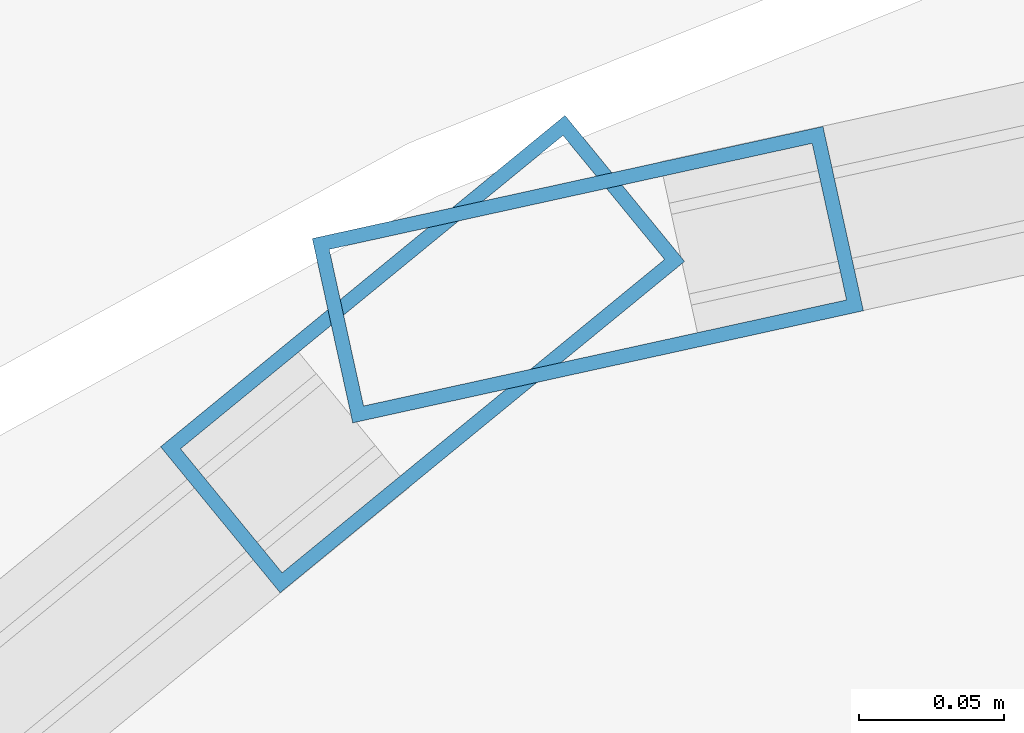
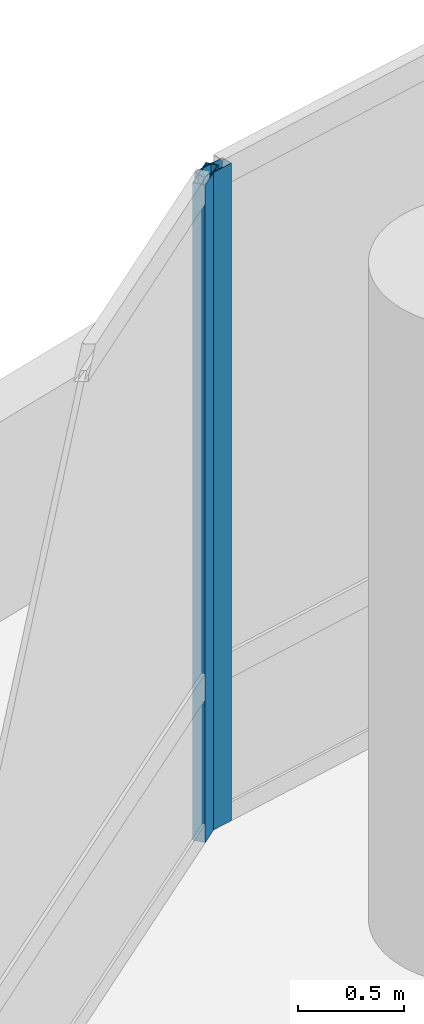
# One storey, part 20 of 37: 2 members, 2 elements without a shape of their own.
"""IFC4 building model written with IfcOpenShell, lengths in metres."""

from ifc_helpers import new_model, si_unit, direction, frame, origin, origin_2d, place, context, subcontext, project, spatial, hollow_rectangle, extrude, material, layer, layer_set, material_profile, profile_set, type_object, element, aggregate, save


model = new_model("IFC4")

# Units and contexts
model_context = context("Model", 3, precision=1e-05, world=origin(), true_north=direction((0.0, 1.0)))
body_context = subcontext(model_context, "Body", "Model", "MODEL_VIEW")
ifc_project = project(units=[si_unit("LENGTHUNIT", "METRE"), si_unit("AREAUNIT", "SQUARE_METRE"), si_unit("VOLUMEUNIT", "CUBIC_METRE"), si_unit("PLANEANGLEUNIT", "RADIAN"), si_unit("MASSUNIT", "GRAM", prefix="KILO")], contexts=[model_context])

# Site, building, storey
site_placement = place(None, origin())
site = spatial("IfcSite", under=ifc_project, at=site_placement, CompositionType="ELEMENT")
building_placement = place(site_placement, origin())
building = spatial("IfcBuilding", under=site, at=building_placement, Name="Nuhasar Tower", CompositionType="ELEMENT")
storey_placement = place(building_placement, frame((0.0, 0.0, 21.0)))
storey = spatial("IfcBuildingStorey", under=building, at=storey_placement, Name="L04", CompositionType="ELEMENT", Elevation=21.0)

# Curtain wall, member
ifc_material = material(Name="Aluminium 6063-T6", Category="aluminium")
ifc_layer = layer(ifc_material, 0.199951171875)
ifc_layer_set = layer_set([ifc_layer], Name="Aluminium 6063-T6")
curtain_wall_type = type_object("IfcCurtainWallType", Name="CW-Z1-OFF", PredefinedType="NOTDEFINED", material=ifc_layer_set)
curtain_wall_1_placement = place(storey_placement, origin())
curtain_wall_1 = element("IfcCurtainWall", 1, at=curtain_wall_1_placement, inside=storey, type_object=curtain_wall_type, Name="L04 Unitised Curtain Wall 04", PredefinedType="NOTDEFINED")
ifc_material_profile = material_profile(ifc_material, hollow_rectangle(XDim=0.06494140625, YDim=0.179931640625, WallThickness=0.0048828125, at=origin_2d()), Name="CWM-2")
ifc_profile_set = profile_set([ifc_material_profile], Name="Aluminium 6063-T6")
member_type = type_object("IfcMemberType", Name="CW-MUL-S2", PredefinedType="MULLION", material=ifc_profile_set)
member_1_placement = place(storey_placement, frame((25.751708984375, 45.65185546875, 0.0), z_axis=(0.0, 0.0, 1.0), x_axis=(0.214398737637, -0.976746221544, 0.0)))
member_1 = element("IfcMember", 2, at=member_1_placement, type_object=member_type, Name="CW-Z1 mullion 3", PredefinedType="MULLION", context=body_context, shape_type="SweptSolid", body=[
    extrude(hollow_rectangle(XDim=0.06494140625, YDim=0.179931640625, WallThickness=0.0048828125, at=origin_2d()), origin(), (0.0, 0.0, 1.0), 3.7900390625),
])
aggregate(curtain_wall_1, [member_1])

curtain_wall_2_placement = place(storey_placement, origin())
curtain_wall_2 = element("IfcCurtainWall", 3, at=curtain_wall_2_placement, inside=storey, type_object=curtain_wall_type, Name="L04 Unitised Curtain Wall 05", PredefinedType="NOTDEFINED")
member_2_placement = place(storey_placement, frame((25.69482421875, 45.62451171875, 0.0), z_axis=(0.0, 0.0, 1.0), x_axis=(0.633744593376, -0.773542364946, 0.0)))
member_2 = element("IfcMember", 4, at=member_2_placement, type_object=member_type, Name="CW-Z1 mullion 1", PredefinedType="MULLION", context=body_context, shape_type="SweptSolid", body=[
    extrude(hollow_rectangle(XDim=0.06494140625, YDim=0.179931640625, WallThickness=0.0048828125, at=origin_2d()), origin(), (0.0, 0.0, 1.0), 3.7900390625),
])
aggregate(curtain_wall_2, [member_2])

save(model, "model.ifc")
